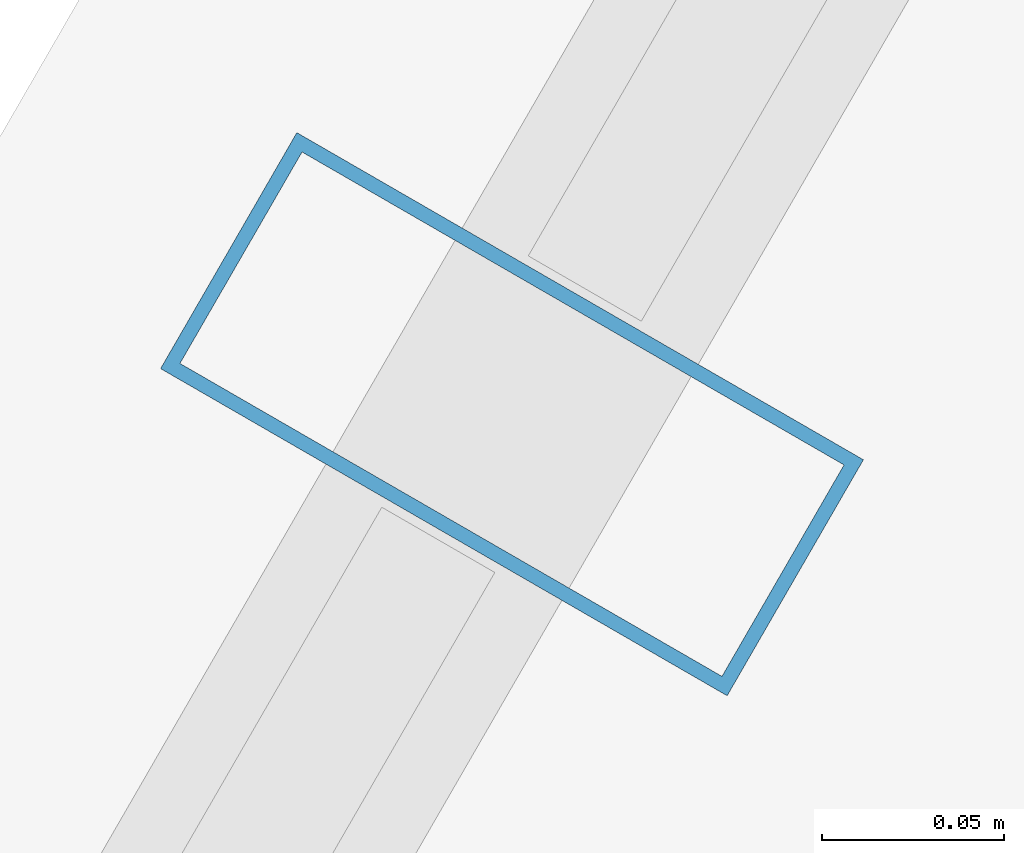
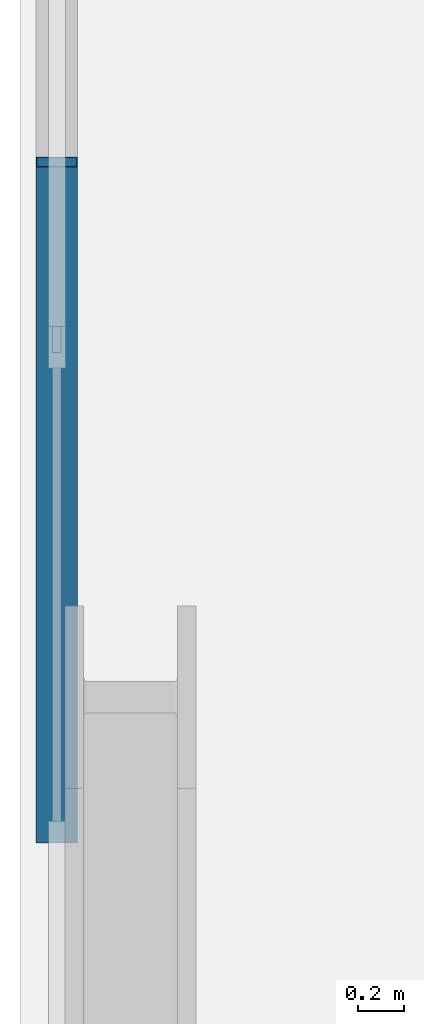
# One storey, part 12 of 32: 1 member, 1 element without a shape of its own.
"""IFC4 building model written with IfcOpenShell, lengths in metres."""

import ifcopenshell
import ifcopenshell.guid

model = None  # the IFC model being written
_history = None  # IfcOwnerHistory: only IFC2X3 demands one
_inside = {}  # id of a spatial element -> (the spatial element, [elements in it])
_under = {}  # id of a project, library or spatial element -> (it, [spatial elements below it])
_declared = {}  # id of a project -> (the project, [libraries it declares])
_typed = {}  # id of a type object -> (the type object, [elements of that type])
_made_of = {}  # id of a material, layer set ... -> (it, [elements and type objects made of it])


def new_model(schema):
    """Start an empty IFC model of exactly this schema.

    Asked for "IFC4X3", IfcOpenShell would pick the latest addendum, in which some entities
    have other attributes; the version numbers below select the first issue.
    IFC2X3 requires an IfcOwnerHistory on every rooted entity: one is made here for all.
    """
    global model, _history
    if schema == "IFC4X3":
        model = ifcopenshell.file(schema_version=(4, 3, 0, 0))
    else:
        model = ifcopenshell.file(schema=schema)
    _inside.clear()
    _under.clear()
    _declared.clear()
    _typed.clear()
    _made_of.clear()
    _history = None
    if model.schema == "IFC2X3":
        org = make("IfcOrganization", Name="unknown")
        user = make(
            "IfcPersonAndOrganization",
            ThePerson=make("IfcPerson", FamilyName="unknown"),
            TheOrganization=org,
        )
        app = make(
            "IfcApplication",
            ApplicationDeveloper=org,
            Version="unknown",
            ApplicationFullName="unknown",
            ApplicationIdentifier="unknown",
        )
        _history = make(
            "IfcOwnerHistory",
            OwningUser=user,
            OwningApplication=app,
            ChangeAction="ADDED",
            CreationDate=0,
        )
    return model


def make(cls, **values):
    """One entity of the class cls with the attributes given. An attribute that is None is left unset."""
    return model.create_entity(
        cls, **{name: value for name, value in values.items() if value is not None}
    )


def rooted(cls, **values):
    """An entity with a GlobalId (a new one), such as an element, a storey or a relation."""
    return make(cls, GlobalId=ifcopenshell.guid.new(), OwnerHistory=_history, **values)


def si_unit(unit_type, name, prefix=None):
    """IfcSIUnit, for example si_unit("LENGTHUNIT", "METRE", prefix="MILLI")."""
    return make("IfcSIUnit", UnitType=unit_type, Prefix=prefix, Name=name)


def assignment(units):
    """IfcUnitAssignment: the units of a project."""
    return None if units is None else make("IfcUnitAssignment", Units=units)


def point(xyz):
    """IfcCartesianPoint."""
    return None if xyz is None else make("IfcCartesianPoint", Coordinates=xyz)


def direction(xyz):
    """IfcDirection."""
    return None if xyz is None else make("IfcDirection", DirectionRatios=xyz)


def frame(location, z_axis=None, x_axis=None):
    """IfcAxis2Placement3D, a coordinate frame: its origin and axes. An axis left out is left unset."""
    return make(
        "IfcAxis2Placement3D",
        Location=point(location),
        Axis=direction(z_axis),
        RefDirection=direction(x_axis),
    )


def frame_2d(location, x_axis=None):
    """IfcAxis2Placement2D, a coordinate frame in the plane: its origin and x axis."""
    return make(
        "IfcAxis2Placement2D", Location=point(location), RefDirection=direction(x_axis)
    )


def origin():
    """The frame at (0, 0, 0) with its axes left unset."""
    return frame((0.0, 0.0, 0.0))


def origin_2d():
    """The frame at (0, 0) in the plane with its x axis left unset."""
    return frame_2d((0.0, 0.0))


def place(relative_to, where):
    """IfcLocalPlacement: puts the frame where relative to a parent placement (None: the world)."""
    return make(
        "IfcLocalPlacement", PlacementRelTo=relative_to, RelativePlacement=where
    )


def context(
    kind, dimensions, precision=None, world=None, true_north=None, identifier=None
):
    """IfcGeometricRepresentationContext, for example the 3D "Model" context."""
    return make(
        "IfcGeometricRepresentationContext",
        ContextIdentifier=identifier,
        ContextType=kind,
        CoordinateSpaceDimension=dimensions,
        Precision=precision,
        WorldCoordinateSystem=world,
        TrueNorth=true_north,
    )


def subcontext(parent, identifier, kind, view, scale=None):
    """IfcGeometricRepresentationSubContext, for example "Body" below "Model"."""
    return make(
        "IfcGeometricRepresentationSubContext",
        ContextIdentifier=identifier,
        ContextType=kind,
        ParentContext=parent,
        TargetScale=scale,
        TargetView=view,
    )


def project(units=None, contexts=None):
    """IfcProject with its units and contexts."""
    return rooted(
        "IfcProject",
        Name="project",
        RepresentationContexts=contexts,
        UnitsInContext=assignment(units),
    )


def spatial(cls, under=None, at=None, **own):
    """A site, building, storey or space (cls), placed at a placement, below another one or the project."""
    s = rooted(cls, ObjectPlacement=at, **own)
    if under is not None:
        _under.setdefault(under.id(), (under, []))[1].append(s)
    return s


def profile(cls, at=None, kind="AREA", **sizes):
    """A parametric profile (cls). Its sizes go by their IFC names, for example OverallWidth=200.0."""
    return make(cls, ProfileType=kind, Position=at, **sizes)


def hollow_rectangle(**sizes):
    """IfcRectangleHollowProfileDef."""
    return profile("IfcRectangleHollowProfileDef", **sizes)


def extrude(swept, where, along, depth):
    """IfcExtrudedAreaSolid: the profile swept, set in the frame where, extruded along a direction by depth."""
    return make(
        "IfcExtrudedAreaSolid",
        SweptArea=swept,
        Position=where,
        ExtrudedDirection=direction(along),
        Depth=depth,
    )


def shape(context_of_items, identifier, shape_type, items):
    """IfcShapeRepresentation: the items that make up one representation, for example the "Body"."""
    return make(
        "IfcShapeRepresentation",
        ContextOfItems=context_of_items,
        RepresentationIdentifier=identifier,
        RepresentationType=shape_type,
        Items=items,
    )


def material(Name=None, Category=None):
    """IfcMaterial."""
    return make("IfcMaterial", Name=Name, Category=Category)


def layer(
    of_material, thickness, ventilated=None, Name=None, Category=None, Priority=None
):
    """IfcMaterialLayer: one layer of a wall or slab, of a material (None: an air gap)."""
    return make(
        "IfcMaterialLayer",
        Material=of_material,
        LayerThickness=thickness,
        IsVentilated=ventilated,
        Name=Name,
        Category=Category,
        Priority=Priority,
    )


def layer_set(layers, Name=None):
    """IfcMaterialLayerSet."""
    return make("IfcMaterialLayerSet", MaterialLayers=layers, LayerSetName=Name)


def material_profile(
    of_material, cross_section, Name=None, Category=None, Priority=None
):
    """IfcMaterialProfile: a cross section and its material."""
    return make(
        "IfcMaterialProfile",
        Name=Name,
        Material=of_material,
        Profile=cross_section,
        Priority=Priority,
        Category=Category,
    )


def profile_set(profiles, Name=None, composite=None):
    """IfcMaterialProfileSet."""
    return make(
        "IfcMaterialProfileSet",
        Name=Name,
        MaterialProfiles=profiles,
        CompositeProfile=composite,
    )


def made_of(thing, what):
    """Note that an element or type object is made of a material, layer set ...; save() writes the relation."""
    if what is not None:
        _made_of.setdefault(what.id(), (what, []))[1].append(thing)
    return thing


def type_object(cls, material=None, **own):
    """A type object (cls), such as IfcWallType, which elements share."""
    return made_of(rooted(cls, **own), material)


def element(
    cls,
    number,
    at=None,
    inside=None,
    cuts=None,
    type_object=None,
    material=None,
    context=None,
    identifier="Body",
    shape_type=None,
    held_by="IfcProductDefinitionShape",
    body=None,
    shapes=None,
    **own,
):
    """One element of the class cls, such as IfcWall. Its Tag is "e" and its number.

    at: its placement. inside: the storey or other place that contains it. cuts: it is an
    opening in that element (IfcRelVoidsElement). A single representation is given by context,
    identifier, shape_type and body (its items); several are given by shapes. held_by: the class
    of the entity that holds the representations. save() writes the other relations.
    """
    e = rooted(cls, Tag="e%d" % number, ObjectPlacement=at, **own)
    if body is not None:
        shapes = [shape(context, identifier, shape_type, body)]
    if shapes is not None:
        e.Representation = make(held_by, Representations=shapes)
    if inside is not None:
        _inside.setdefault(inside.id(), (inside, []))[1].append(e)
    if cuts is not None:
        rooted(
            "IfcRelVoidsElement", RelatingBuildingElement=cuts, RelatedOpeningElement=e
        )
    if type_object is not None:
        _typed.setdefault(type_object.id(), (type_object, []))[1].append(e)
    return made_of(e, material)


def aggregate(whole, parts):
    """IfcRelAggregates: a whole, such as a stair, and the parts it consists of."""
    return rooted("IfcRelAggregates", RelatingObject=whole, RelatedObjects=parts)


def save(model, path):
    """Write the relations noted so far, then the file.

    IfcRelAggregates (storeys below a building ...), IfcRelContainedInSpatialStructure (elements
    in a storey), IfcRelDefinesByType, IfcRelAssociatesMaterial and IfcRelDeclares: one each for
    every whole, place, type object, material and project.
    """
    for whole, parts in _under.values():
        aggregate(whole, parts)
    for where, things in _inside.values():
        rooted(
            "IfcRelContainedInSpatialStructure",
            RelatedElements=things,
            RelatingStructure=where,
        )
    for kind, things in _typed.values():
        rooted("IfcRelDefinesByType", RelatedObjects=things, RelatingType=kind)
    for what, things in _made_of.values():
        rooted("IfcRelAssociatesMaterial", RelatedObjects=things, RelatingMaterial=what)
    for by, libraries in _declared.values():
        rooted("IfcRelDeclares", RelatingContext=by, RelatedDefinitions=libraries)
    model.write(path)


model = new_model("IFC4")

# Units and contexts
model_context = context("Model", 3, precision=1e-05, world=origin(), true_north=direction((0.0, 1.0)))
body_context = subcontext(model_context, "Body", "Model", "MODEL_VIEW")
ifc_project = project(units=[si_unit("LENGTHUNIT", "METRE"), si_unit("AREAUNIT", "SQUARE_METRE"), si_unit("VOLUMEUNIT", "CUBIC_METRE"), si_unit("PLANEANGLEUNIT", "RADIAN"), si_unit("MASSUNIT", "GRAM", prefix="KILO")], contexts=[model_context])

# Site, building, storey
site_placement = place(None, origin())
site = spatial("IfcSite", under=ifc_project, at=site_placement, CompositionType="ELEMENT")
building_placement = place(site_placement, origin())
building = spatial("IfcBuilding", under=site, at=building_placement, Name="Ndaravel Arena Tower", CompositionType="ELEMENT")
storey_placement = place(building_placement, frame((0.0, 0.0, 51.199951171875)))
storey = spatial("IfcBuildingStorey", under=building, at=storey_placement, Name="L10", CompositionType="ELEMENT", Elevation=51.199951171875)

# Curtain wall, member
ifc_material_1 = material(Name="Aluminium", Category="aluminium")
ifc_layer = layer(ifc_material_1, 0.179931640625)
ifc_layer_set = layer_set([ifc_layer], Name="Aluminium")
curtain_wall_type = type_object("IfcCurtainWallType", Name="CW-SYS-03", PredefinedType="NOTDEFINED", material=ifc_layer_set)
curtain_wall_placement = place(storey_placement, origin())
curtain_wall = element("IfcCurtainWall", 1, at=curtain_wall_placement, inside=storey, type_object=curtain_wall_type, Name="L10 Faceted Crystal Curtain Wall CW-L10-E05", PredefinedType="NOTDEFINED")
ifc_material_2 = material(Name="Aluminium", Category="aluminium")
ifc_material_profile = material_profile(ifc_material_2, hollow_rectangle(XDim=0.074951171875, YDim=0.179931640625, WallThickness=0.00390625, at=origin_2d()), Name="CW MULLION 75x180x4")
ifc_profile_set = profile_set([ifc_material_profile], Name="Aluminium")
member_type = type_object("IfcMemberType", Name="MEM-CW-MUL180", PredefinedType="MULLION", material=ifc_profile_set)
member_placement = place(storey_placement, frame((27.3525390625, 34.360595703125, 0.0), z_axis=(0.0, 0.0, 1.0), x_axis=(-0.5, -0.866025403784, 0.0)))
member = element("IfcMember", 2, at=member_placement, type_object=member_type, Name="CW-L10-E05 Mullion 03", PredefinedType="MULLION", context=body_context, shape_type="SweptSolid", body=[
    extrude(hollow_rectangle(XDim=0.074951171875, YDim=0.179931640625, WallThickness=0.00390625, at=origin_2d()), origin(), (0.0, 0.0, 1.0), 3.580078125),
])
aggregate(curtain_wall, [member])

save(model, "model.ifc")
